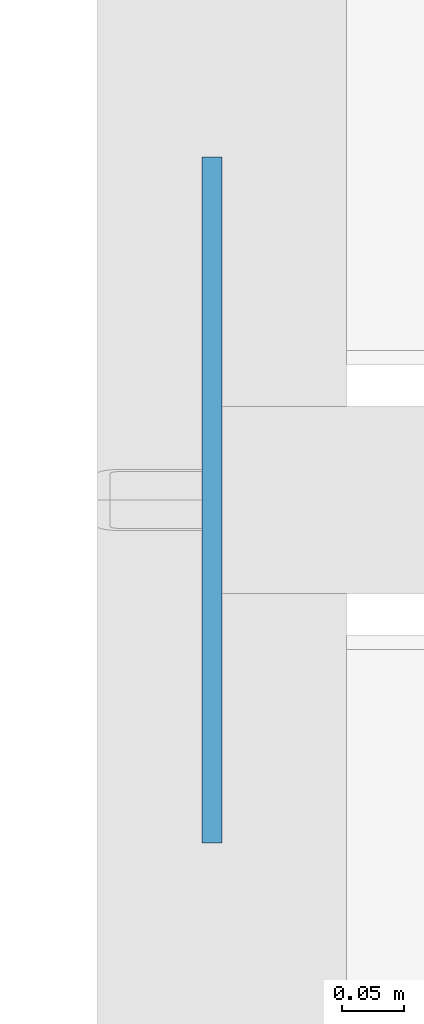
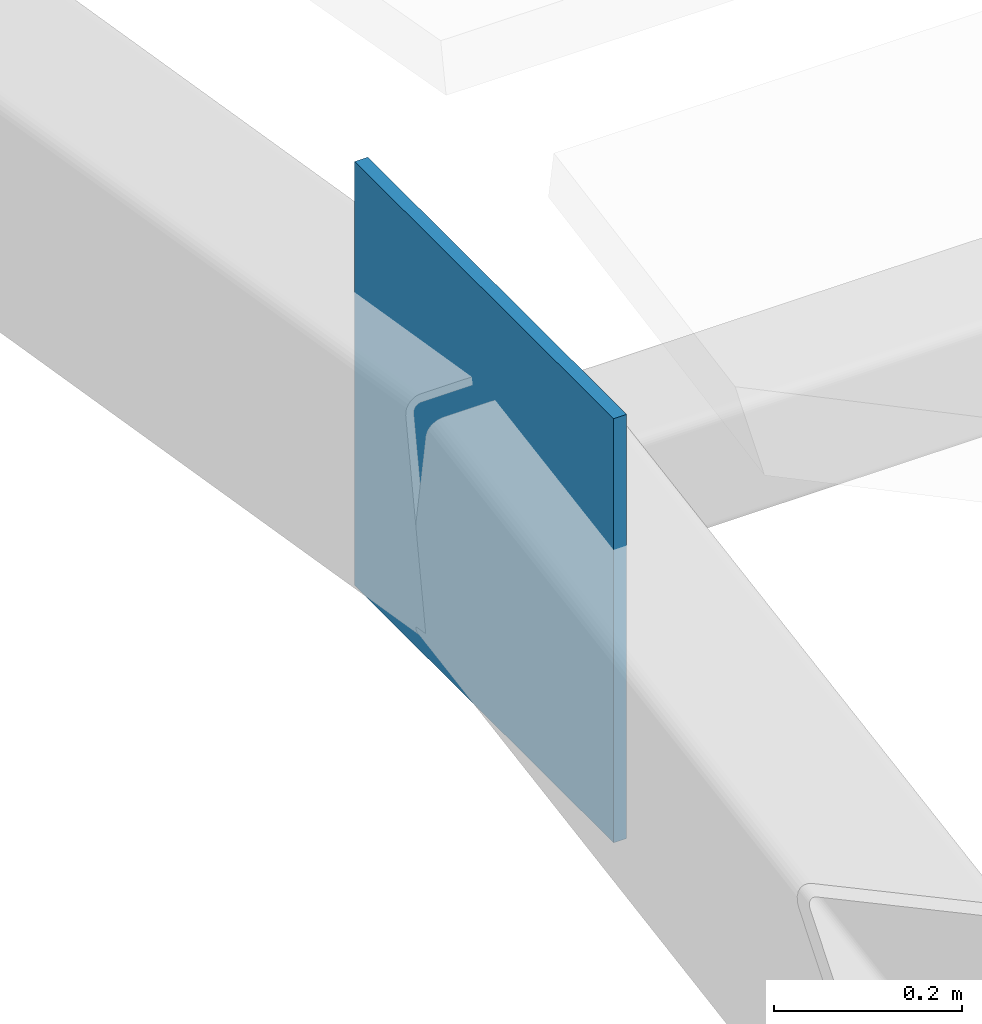
# One storey, part 244 of 262: 1 plate.
"""IFC4 building model written with IfcOpenShell, lengths in metres."""

from ifc_helpers import new_model, si_unit, derived_unit, direction, frame, origin, origin_2d, place, context, subcontext, project, spatial, rectangle, extrude, material, layer, layer_set, type_object, element, save


model = new_model("IFC4")

# Units and contexts
model_context = context("Model", 3, precision=1e-05, world=origin(), true_north=direction((0.0, 1.0)))
body_context = subcontext(model_context, "Body", "Model", "MODEL_VIEW")
ifc_project = project(units=[si_unit("LENGTHUNIT", "METRE"), si_unit("AREAUNIT", "SQUARE_METRE"), si_unit("VOLUMEUNIT", "CUBIC_METRE"), si_unit("PLANEANGLEUNIT", "RADIAN"), si_unit("MASSUNIT", "GRAM", prefix="KILO"), derived_unit("THERMALTRANSMITTANCEUNIT", [(si_unit("POWERUNIT", "WATT"), 1), (si_unit("LENGTHUNIT", "METRE"), -2), (si_unit("THERMODYNAMICTEMPERATUREUNIT", "KELVIN"), -1)])], contexts=[model_context])

# Site, building, storey
site_placement = place(None, origin())
site = spatial("IfcSite", under=ifc_project, at=site_placement, CompositionType="ELEMENT")
building_placement = place(site_placement, origin())
building = spatial("IfcBuilding", under=site, at=building_placement, Name="Almenara Railside Exhibition Hall", CompositionType="ELEMENT")
storey_placement = place(building_placement, frame((0.0, 0.0, 21.699951171875)))
storey = spatial("IfcBuildingStorey", under=building, at=storey_placement, Name="RF", CompositionType="ELEMENT", Elevation=21.699951171875)

# Plate
ifc_material = material(Name="Structural steel S355JR", Category="steel")
ifc_layer = layer(ifc_material, 0.01611328125, Name="Structural steel S355JR")
ifc_layer_set = layer_set([ifc_layer], Name="Structural steel S355JR")
plate_type = type_object("IfcPlateType", Name="Truss Node Gusset Plate 16mm S355JR", PredefinedType="USERDEFINED", material=ifc_layer_set)
plate_placement = place(storey_placement, frame((125.991943359375, 14.0, 0.8251953125), z_axis=(0.0, 0.0, 1.0), x_axis=(0.0, 1.0, 0.0)))
element("IfcPlate", 1, at=plate_placement, inside=storey, type_object=plate_type, Name="PLT-GUS-0342", ObjectType="GUSSET_PLATE", PredefinedType="USERDEFINED", context=body_context, shape_type="SweptSolid", body=[
    extrude(rectangle(XDim=0.550048828125, YDim=0.01611328125, at=origin_2d()), origin(), (0.0, 0.0, 1.0), 0.550048828125),
])

save(model, "model.ifc")
